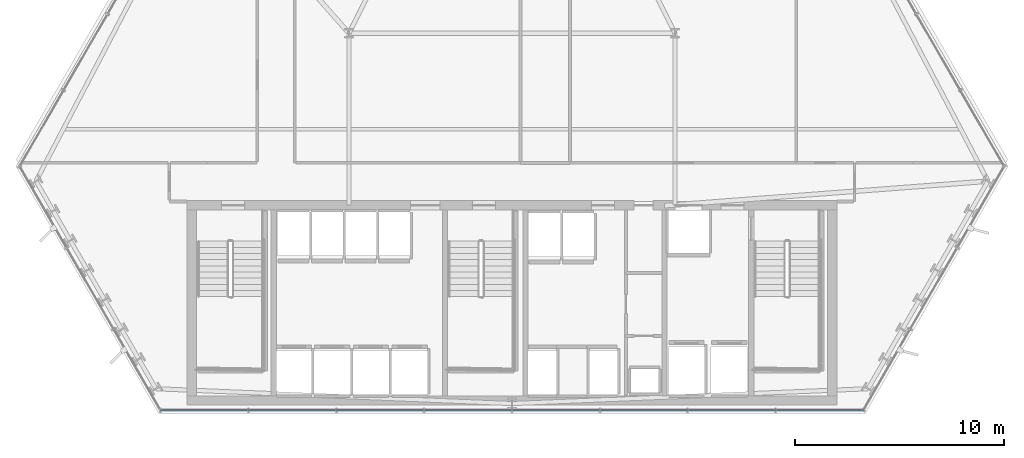
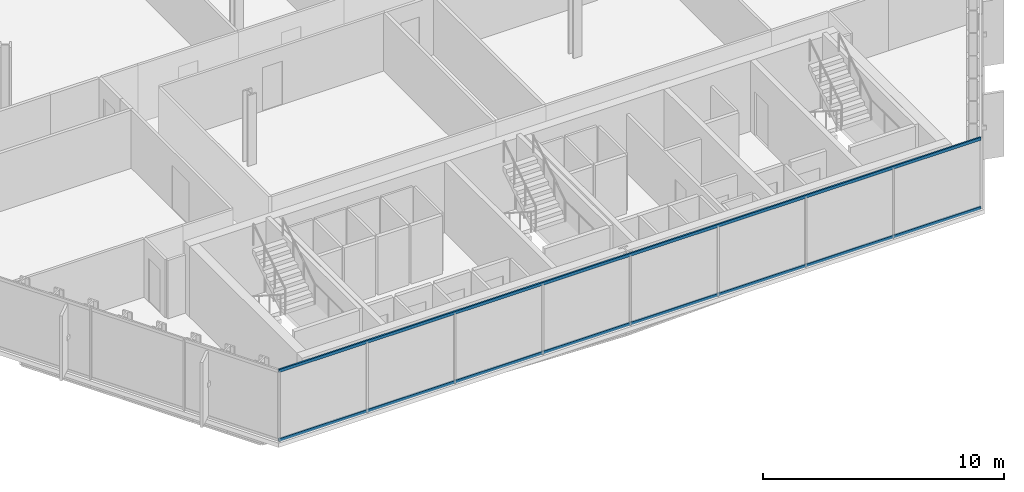
# One storey, part 8 of 31: 2 members, 1 element without a shape of its own.
"""IFC4 building model written with IfcOpenShell, lengths in metres."""

from ifc_helpers import new_model, si_unit, direction, frame, origin, origin_2d, place, context, subcontext, project, spatial, hollow_rectangle, extrude, material, layer, layer_set, material_profile, profile_set, type_object, element, aggregate, save


model = new_model("IFC4")

# Units and contexts
model_context = context("Model", 3, precision=1e-05, world=origin(), true_north=direction((0.0, 1.0)))
body_context = subcontext(model_context, "Body", "Model", "MODEL_VIEW")
ifc_project = project(units=[si_unit("LENGTHUNIT", "METRE"), si_unit("AREAUNIT", "SQUARE_METRE"), si_unit("VOLUMEUNIT", "CUBIC_METRE"), si_unit("PLANEANGLEUNIT", "RADIAN"), si_unit("MASSUNIT", "GRAM", prefix="KILO")], contexts=[model_context])

# Site, building, storey
site_placement = place(None, origin())
site = spatial("IfcSite", under=ifc_project, at=site_placement, CompositionType="ELEMENT")
building_placement = place(site_placement, origin())
building = spatial("IfcBuilding", under=site, at=building_placement, Name="Ndaravel Arena Tower", CompositionType="ELEMENT")
storey_placement = place(building_placement, frame((0.0, 0.0, 100.60009765625)))
storey = spatial("IfcBuildingStorey", under=building, at=storey_placement, Name="L23", CompositionType="ELEMENT", Elevation=100.60009765625)

# Curtain wall, members
ifc_material_1 = material(Name="Aluminium", Category="aluminium")
ifc_layer = layer(ifc_material_1, 0.179931640625)
ifc_layer_set = layer_set([ifc_layer], Name="Aluminium")
curtain_wall_type = type_object("IfcCurtainWallType", Name="CW-SYS-03", PredefinedType="NOTDEFINED", material=ifc_layer_set)
curtain_wall_placement = place(storey_placement, origin())
curtain_wall = element("IfcCurtainWall", 1, at=curtain_wall_placement, inside=storey, type_object=curtain_wall_type, Name="L23 Faceted Crystal Curtain Wall CW-L23-E01", PredefinedType="NOTDEFINED")
ifc_material_2 = material(Name="Aluminium", Category="aluminium")
ifc_material_profile = material_profile(ifc_material_2, hollow_rectangle(XDim=0.074951171875, YDim=0.14990234375, WallThickness=0.00390625, at=origin_2d()), Name="CW TRANSOM 75x150x4")
ifc_profile_set = profile_set([ifc_material_profile], Name="Aluminium")
member_type = type_object("IfcMemberType", Name="MEM-CW-TRN150", PredefinedType="USERDEFINED", material=ifc_profile_set)
member_1_placement = place(storey_placement, frame((25.181884765625, 5.159912109375, 0.039794921875), z_axis=(1.0, 0.0, 0.0), x_axis=(0.0, 1.0, 0.0)))
member_1 = element("IfcMember", 2, at=member_1_placement, type_object=member_type, Name="CW-L23-E01 Transom 01", ObjectType="TRANSOM", PredefinedType="USERDEFINED", context=body_context, shape_type="SweptSolid", body=[
    extrude(hollow_rectangle(XDim=0.074951171875, YDim=0.14990234375, WallThickness=0.00390625, at=origin_2d()), origin(), (0.0, 0.0, 1.0), 33.63623046875),
])
member_2_placement = place(storey_placement, frame((25.181884765625, 5.159912109375, 3.539794921875), z_axis=(1.0, 0.0, 0.0), x_axis=(0.0, 1.0, 0.0)))
member_2 = element("IfcMember", 3, at=member_2_placement, type_object=member_type, Name="CW-L23-E01 Transom 02", ObjectType="TRANSOM", PredefinedType="USERDEFINED", context=body_context, shape_type="SweptSolid", body=[
    extrude(hollow_rectangle(XDim=0.074951171875, YDim=0.14990234375, WallThickness=0.00390625, at=origin_2d()), origin(), (0.0, 0.0, 1.0), 33.63623046875),
])
aggregate(curtain_wall, [member_1, member_2])

save(model, "model.ifc")
